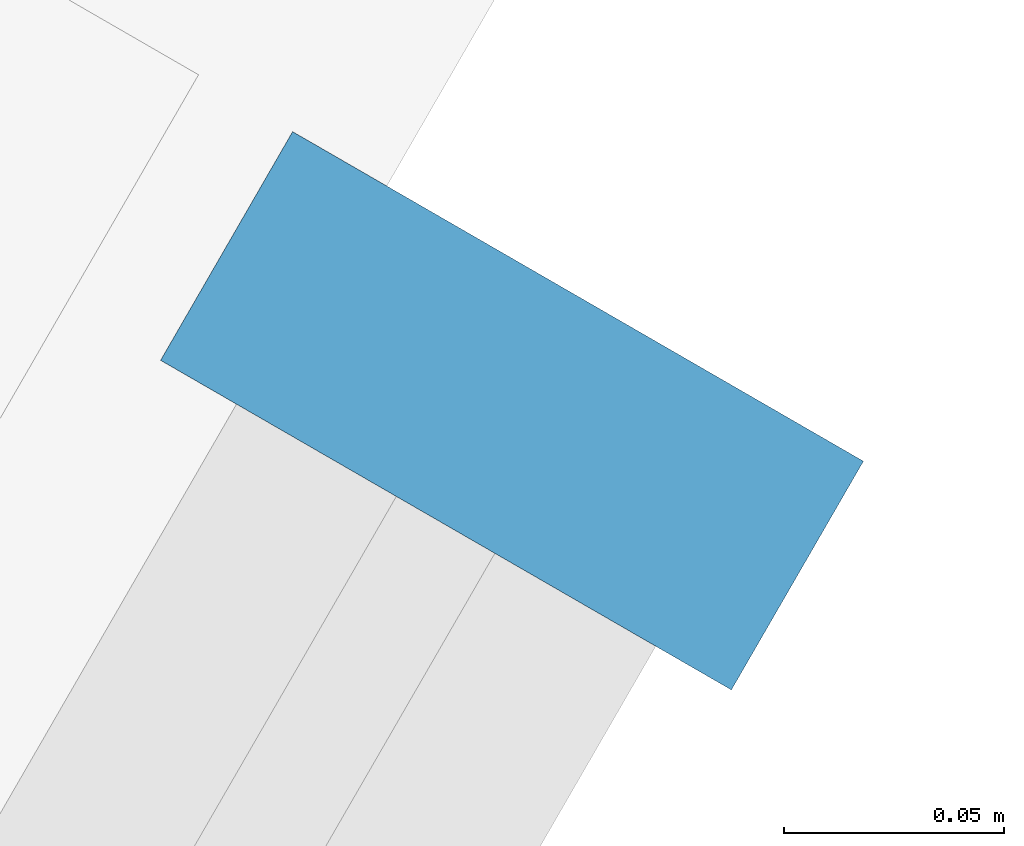
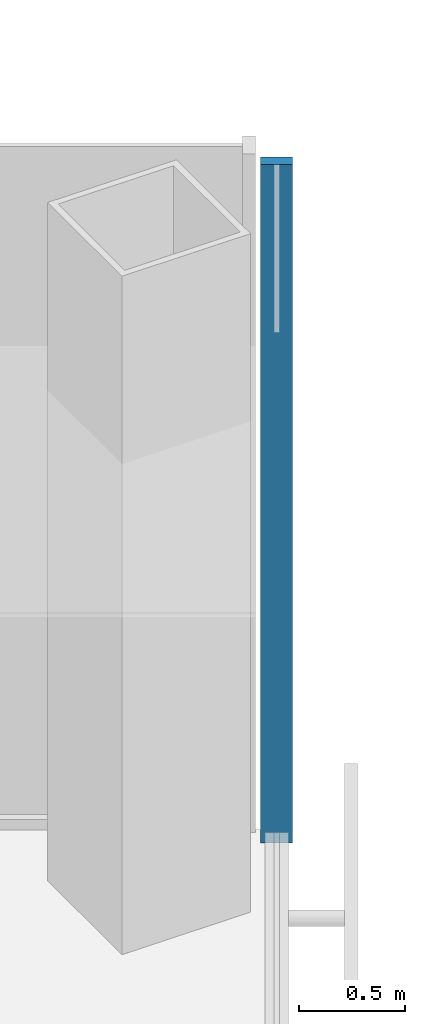
# One storey, part 9 of 18: 1 member, 1 element without a shape of its own.
"""IFC4 building model written with IfcOpenShell, lengths in metres."""

from ifc_helpers import new_model, si_unit, direction, frame, origin, origin_2d, place, context, subcontext, project, spatial, rectangle, extrude, material, material_profile, profile_set, type_object, element, aggregate, save


model = new_model("IFC4")

# Units and contexts
model_context = context("Model", 3, precision=1e-05, world=origin(), true_north=direction((0.0, 1.0)))
body_context = subcontext(model_context, "Body", "Model", "MODEL_VIEW")
ifc_project = project(units=[si_unit("LENGTHUNIT", "METRE"), si_unit("AREAUNIT", "SQUARE_METRE"), si_unit("VOLUMEUNIT", "CUBIC_METRE"), si_unit("PLANEANGLEUNIT", "RADIAN"), si_unit("MASSUNIT", "GRAM", prefix="KILO")], contexts=[model_context])

# Site, building, storey
site_placement = place(None, origin())
site = spatial("IfcSite", under=ifc_project, at=site_placement, CompositionType="ELEMENT")
building_placement = place(site_placement, origin())
building = spatial("IfcBuilding", under=site, at=building_placement, Name="Kasaneha Research Tower", CompositionType="ELEMENT")
storey_placement = place(building_placement, frame((0.0, 0.0, 133.10009765625)))
storey = spatial("IfcBuildingStorey", under=building, at=storey_placement, Name="L33", CompositionType="ELEMENT", Elevation=133.10009765625)

# Curtain wall, member
ifc_material_1 = material(Name="Glass and aluminium", Category="aluminium")
curtain_wall_type = type_object("IfcCurtainWallType", Name="Mid-rise office curtain wall", PredefinedType="USERDEFINED", material=ifc_material_1)
curtain_wall_placement = place(storey_placement, origin())
curtain_wall = element("IfcCurtainWall", 1, at=curtain_wall_placement, inside=storey, type_object=curtain_wall_type, Name="CW-O2 L33 run 04a", ObjectType="UNITISED CURTAIN WALL", PredefinedType="USERDEFINED")
ifc_material_2 = material(Name="Aluminium 6063-T6", Category="aluminium")
ifc_material_profile = material_profile(ifc_material_2, rectangle(XDim=0.06005859375, YDim=0.14990234375, at=origin_2d()), Name="CW-O2 mullion 60x150")
ifc_profile_set = profile_set([ifc_material_profile], Name="Aluminium 6063-T6")
member_type = type_object("IfcMemberType", Name="CW-O2 mullion", PredefinedType="MULLION", material=ifc_profile_set)
member_placement = place(storey_placement, frame((32.012939453125, -6.39306640625, 0.0), z_axis=(0.0, 0.0, 1.0), x_axis=(0.500000011442, 0.866025397178, 0.0)))
member = element("IfcMember", 2, at=member_placement, type_object=member_type, Name="CW-O2 mullion 4", PredefinedType="MULLION", context=body_context, shape_type="SweptSolid", body=[
    extrude(rectangle(XDim=0.06005859375, YDim=0.14990234375, at=origin_2d()), origin(), (0.0, 0.0, 1.0), 3.89990234375),
])
aggregate(curtain_wall, [member])

save(model, "model.ifc")
